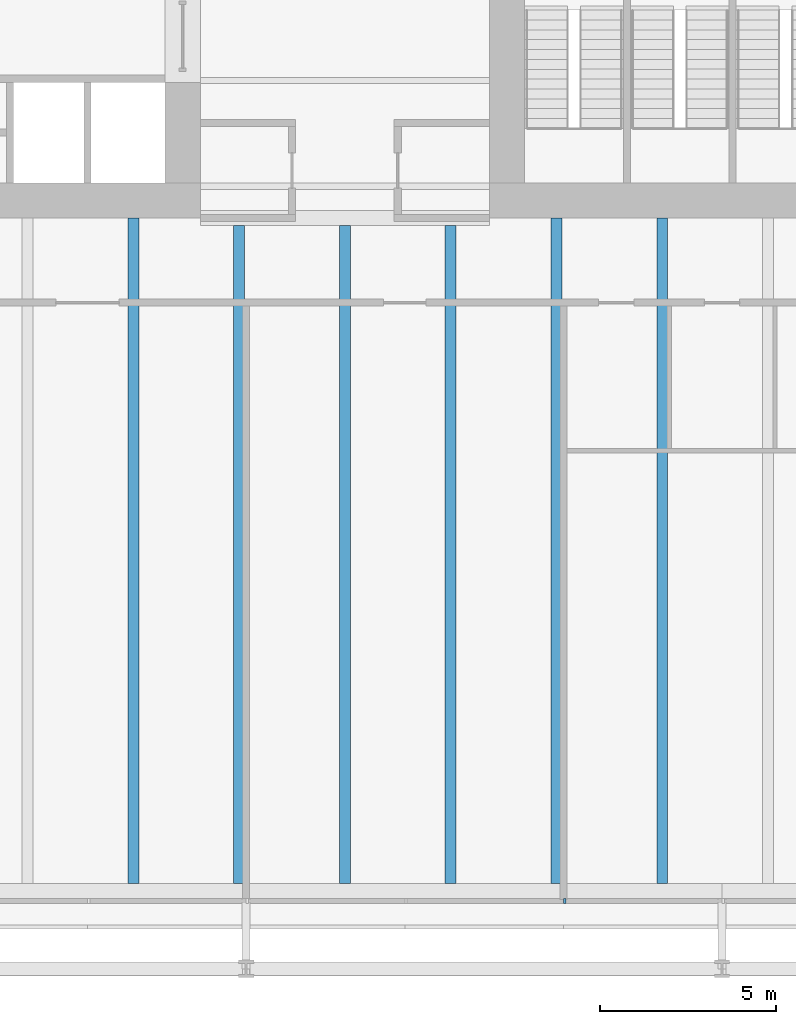
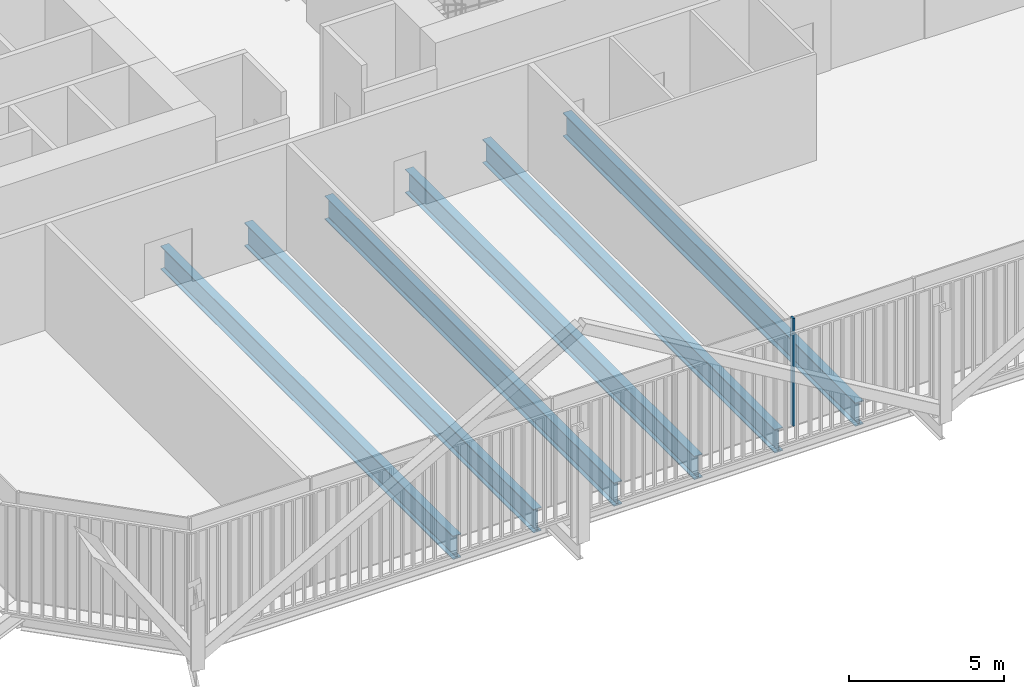
# One storey, part 4 of 21: 6 beams, 1 member, 1 element without a shape of its own.
"""IFC4 building model written with IfcOpenShell, lengths in metres."""

from ifc_helpers import new_model, si_unit, direction, frame, origin, origin_2d, place, context, subcontext, project, spatial, rectangle, i_section, extrude, material, layer, layer_set, material_profile, profile_set, type_object, element, aggregate, save


model = new_model("IFC4")

# Units and contexts
model_context = context("Model", 3, precision=1e-05, world=origin(), true_north=direction((0.0, 1.0)))
body_context = subcontext(model_context, "Body", "Model", "MODEL_VIEW")
ifc_project = project(units=[si_unit("LENGTHUNIT", "METRE"), si_unit("AREAUNIT", "SQUARE_METRE"), si_unit("VOLUMEUNIT", "CUBIC_METRE"), si_unit("PLANEANGLEUNIT", "RADIAN"), si_unit("MASSUNIT", "GRAM", prefix="KILO")], contexts=[model_context])

# Site, building, storey
site_placement = place(None, origin())
site = spatial("IfcSite", under=ifc_project, at=site_placement, CompositionType="ELEMENT")
building_placement = place(site_placement, origin())
building = spatial("IfcBuilding", under=site, at=building_placement, Name="Millrace Tower", CompositionType="ELEMENT")
storey_placement = place(building_placement, frame((0.0, 0.0, 104.0)))
storey = spatial("IfcBuildingStorey", under=building, at=storey_placement, Name="L23", CompositionType="ELEMENT", Elevation=104.0)

# Curtain wall, member
ifc_material_1 = material(Name="Aluminium and glass", Category="aluminium")
ifc_layer = layer(ifc_material_1, 0.14990234375)
ifc_layer_set = layer_set([ifc_layer], Name="Aluminium and glass")
curtain_wall_type = type_object("IfcCurtainWallType", Name="CW-3 telecom floor curtain wall", PredefinedType="NOTDEFINED", material=ifc_layer_set)
curtain_wall_placement = place(storey_placement, origin())
curtain_wall = element("IfcCurtainWall", 1, at=curtain_wall_placement, inside=storey, type_object=curtain_wall_type, Name="Curtain wall B-F02 L23", PredefinedType="NOTDEFINED")
ifc_material_2 = material(Name="Aluminium", Category="aluminium")
ifc_material_profile_1 = material_profile(ifc_material_2, rectangle(XDim=0.06494140625, YDim=0.14990234375, at=origin_2d()))
ifc_profile_set_1 = profile_set([ifc_material_profile_1], Name="Aluminium")
member_type = type_object("IfcMemberType", Name="CW-3 telecom floor curtain wall mullion", PredefinedType="MULLION", material=ifc_profile_set_1)
member_placement = place(storey_placement, frame((6.232421875, -29.27490234375, 0.14990234375), z_axis=(0.0, 0.0, 1.0), x_axis=(1.0, 0.0, 0.0)))
member = element("IfcMember", 2, at=member_placement, type_object=member_type, Name="CW3 mullion B-F02.6", PredefinedType="MULLION", context=body_context, shape_type="SweptSolid", body=[
    extrude(rectangle(XDim=0.06494140625, YDim=0.14990234375, at=origin_2d()), origin(), (0.0, 0.0, 1.0), 4.25),
])
aggregate(curtain_wall, [member])

# Beams
ifc_material_3 = material(Name="Steel ASTM A992 Grade 50", Category="steel")
ifc_material_profile_2 = material_profile(ifc_material_3, i_section(OverallWidth=0.307373046875, OverallDepth=0.927001953125, WebThickness=0.01953125, FlangeThickness=0.031982421875, FilletRadius=0.01904296875, at=origin_2d()))
ifc_profile_set_2 = profile_set([ifc_material_profile_2], Name="Steel ASTM A992 Grade 50")
beam_type = type_object("IfcBeamType", Name="Floor beam W36x194", PredefinedType="JOIST", material=ifc_profile_set_2)
beam_placement = place(storey_placement, frame((-6.0, -28.781005859375, -0.66357421875), z_axis=(0.0, 1.0, 0.0), x_axis=(-1.0, 0.0, 0.0)))
element("IfcBeam", 3, at=beam_placement, inside=storey, type_object=beam_type, Name="BM-B-L23-S1-S045", PredefinedType="JOIST", context=body_context, shape_type="SweptSolid", body=[
    extrude(i_section(OverallWidth=0.307373046875, OverallDepth=0.927001953125, WebThickness=0.01953125, FlangeThickness=0.031982421875, FilletRadius=0.01904296875, at=origin_2d()), origin(), (0.0, 0.0, 1.0), 18.881103515625),
])
for number, where, z_axis, x_axis, name in (
    (4, (-3.0, -28.781005859375, -0.66357421875), (0.0, 1.0, 0.0), (-1.0, 0.0, 0.0), "BM-B-L23-S1-S047"),
    (5, (0.0, -28.781005859375, -0.66357421875), (0.0, 1.0, 0.0), (-1.0, 0.0, 0.0), "BM-B-L23-S1-S049"),
    (6, (3.0, -28.781005859375, -0.66357421875), (0.0, 1.0, 0.0), (-1.0, 0.0, 0.0), "BM-B-L23-S1-S051"),
):
    element("IfcBeam", number, at=place(storey_placement, frame(where, z_axis=z_axis, x_axis=x_axis)), inside=storey, type_object=beam_type, Name=name, PredefinedType="JOIST", context=body_context, shape_type="SweptSolid", body=[
        extrude(i_section(OverallWidth=0.307373046875, OverallDepth=0.927001953125, WebThickness=0.01953125, FlangeThickness=0.031982421875, FilletRadius=0.01904296875, at=origin_2d()), origin(), (0.0, 0.0, 1.0), 18.670166015625),
    ])
for number, where, z_axis, x_axis, name in (
    (7, (6.0, -28.781005859375, -0.66357421875), (0.0, 1.0, 0.0), (-1.0, 0.0, 0.0), "BM-B-L23-S1-S053"),
    (8, (9.0, -28.781005859375, -0.66357421875), (0.0, 1.0, 0.0), (-1.0, 0.0, 0.0), "BM-B-L23-S1-S055"),
):
    element("IfcBeam", number, at=place(storey_placement, frame(where, z_axis=z_axis, x_axis=x_axis)), inside=storey, type_object=beam_type, Name=name, PredefinedType="JOIST", context=body_context, shape_type="SweptSolid", body=[
        extrude(i_section(OverallWidth=0.307373046875, OverallDepth=0.927001953125, WebThickness=0.01953125, FlangeThickness=0.031982421875, FilletRadius=0.01904296875, at=origin_2d()), origin(), (0.0, 0.0, 1.0), 18.881103515625),
    ])

save(model, "model.ifc")
